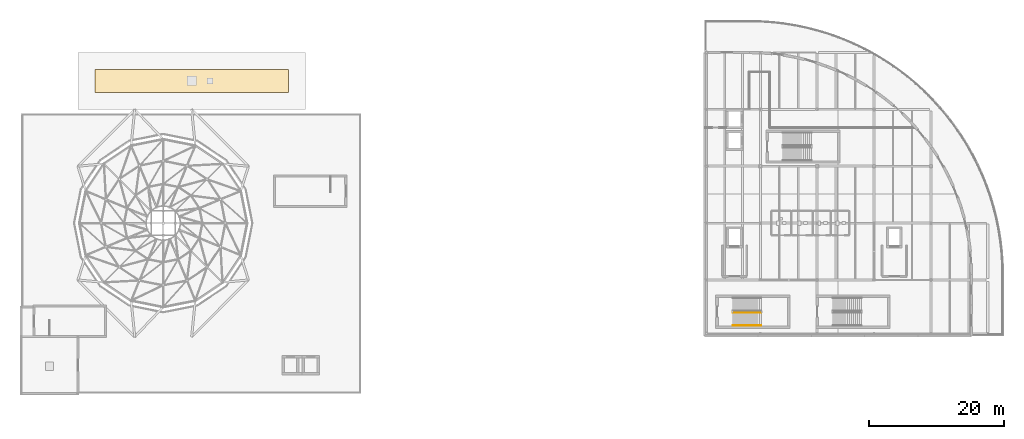
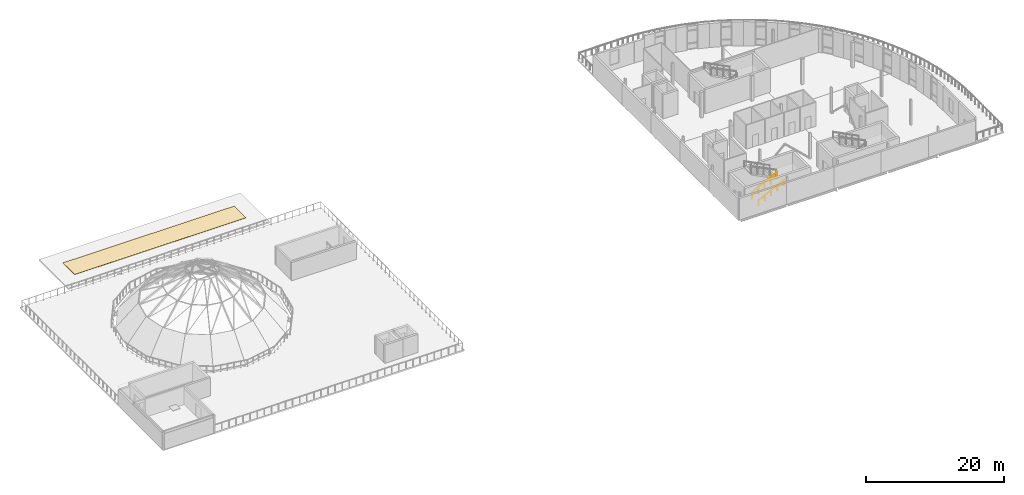
# One storey, part 36 of 40: 2 railings, 1 covering.
"""IFC4 building model written with IfcOpenShell, lengths in metres."""

from ifc_helpers import new_model, si_unit, direction, frame, origin, origin_2d, place, context, subcontext, project, spatial, polyline, circle, outline, extrude, material, layer, layer_set, type_object, element, save


model = new_model("IFC4")

# Units and contexts
model_context = context("Model", 3, precision=1e-05, world=origin(), true_north=direction((0.0, 1.0)))
body_context = subcontext(model_context, "Body", "Model", "MODEL_VIEW")
ifc_project = project(units=[si_unit("LENGTHUNIT", "METRE"), si_unit("AREAUNIT", "SQUARE_METRE"), si_unit("VOLUMEUNIT", "CUBIC_METRE"), si_unit("PLANEANGLEUNIT", "RADIAN"), si_unit("MASSUNIT", "GRAM", prefix="KILO"), si_unit("THERMODYNAMICTEMPERATUREUNIT", "KELVIN")], contexts=[model_context])

# Site, building, storey
site_placement = place(None, origin())
site = spatial("IfcSite", under=ifc_project, at=site_placement, CompositionType="ELEMENT")
building_placement = place(site_placement, origin())
building = spatial("IfcBuilding", under=site, at=building_placement, Name="Lustrewick Department Store", CompositionType="ELEMENT")
storey_placement = place(building_placement, frame((0.0, 0.0, 31.800048828125)))
storey = spatial("IfcBuildingStorey", under=building, at=storey_placement, Name="L07", CompositionType="ELEMENT", Elevation=31.800048828125)

# Covering
ifc_material_1 = material(Name="Single-ply TPO insulated roofing membrane", Category="plastic")
ifc_layer = layer(ifc_material_1, 0.034912109375, Name="Single-ply TPO insulated roofing membrane")
ifc_layer_set = layer_set([ifc_layer], Name="Single-ply TPO insulated roofing membrane")
covering_type = type_object("IfcCoveringType", Name="COV-ROOF", PredefinedType="ROOFING", material=ifc_layer_set)
covering_placement = place(storey_placement, origin())
element("IfcCovering", 1, at=covering_placement, inside=storey, type_object=covering_type, Name="L07 TPO Roof Membrane 08", PredefinedType="ROOFING", context=body_context, shape_type="SweptSolid", body=[
    extrude(outline(polyline([(47.89990234375, 89.89990234375), (19.300048828125, 89.89990234375), (19.300048828125, 86.5), (47.89990234375, 86.5), (47.89990234375, 89.89990234375)])), origin(), (0.0, 0.0, 1.0), 0.034912109375),
])

# Railings
ifc_material_2 = material(Name="Painted tubular steel stairwell guardrail", Category="steel")
railing_type_1 = type_object("IfcRailingType", Name="RL-STG", PredefinedType="GUARDRAIL", material=ifc_material_2)
railing_1_placement = place(storey_placement, frame((113.550048828125, 53.949951171875, 0.14990234375)))
element("IfcRailing", 2, at=railing_1_placement, inside=storey, type_object=railing_type_1, Name="L07 ST09 Stair Guard 1", PredefinedType="GUARDRAIL", context=body_context, shape_type="SweptSolid", body=[
    extrude(circle(Radius=0.02392578125, at=origin_2d()), frame((0.0, 0.0, 1.17578125), z_axis=(0.894416792377, 0.0, 0.447234392142), x_axis=(0.0, 1.0, 0.0)), (0.0, 0.0, 1.0), 4.69580078125),
    extrude(circle(Radius=0.02099609375, at=origin_2d()), origin(), (0.0, 0.0, 1.0), 1.15185546875),
    extrude(circle(Radius=0.02099609375, at=origin_2d()), frame((1.050048828125, 0.0, 0.52490234375)), (0.0, 0.0, 1.0), 1.15185546875),
    extrude(circle(Radius=0.02099609375, at=origin_2d()), frame((2.10009765625, 0.0, 1.050048828125)), (0.0, 0.0, 1.0), 1.15185546875),
    extrude(circle(Radius=0.02099609375, at=origin_2d()), frame((3.14990234375, 0.0, 1.5751953125)), (0.0, 0.0, 1.0), 1.15185546875),
    extrude(circle(Radius=0.02099609375, at=origin_2d()), frame((4.199951171875, 0.0, 2.10009765625)), (0.0, 0.0, 1.0), 1.15185546875),
])
ifc_material_3 = material(Name="Brushed stainless steel wall handrail", Category="steel")
railing_type_2 = type_object("IfcRailingType", Name="RL-STH", PredefinedType="HANDRAIL", material=ifc_material_3)
railing_2_placement = place(storey_placement, frame((113.550048828125, 52.050048828125, 0.14990234375)))
element("IfcRailing", 3, at=railing_2_placement, inside=storey, type_object=railing_type_2, Name="L07 ST09 Stair Handrail 1", PredefinedType="HANDRAIL", context=body_context, shape_type="SweptSolid", body=[
    extrude(circle(Radius=0.02392578125, at=origin_2d()), frame((0.0, 0.0, 0.8759765625), z_axis=(0.894416792377, 0.0, 0.447234392142), x_axis=(0.0, 1.0, 0.0)), (0.0, 0.0, 1.0), 4.69580078125),
    extrude(circle(Radius=0.02099609375, at=origin_2d()), origin(), (0.0, 0.0, 1.0), 0.851806640625),
    extrude(circle(Radius=0.02099609375, at=origin_2d()), frame((1.050048828125, 0.0, 0.52490234375)), (0.0, 0.0, 1.0), 0.851806640625),
    extrude(circle(Radius=0.02099609375, at=origin_2d()), frame((2.10009765625, 0.0, 1.050048828125)), (0.0, 0.0, 1.0), 0.851806640625),
    extrude(circle(Radius=0.02099609375, at=origin_2d()), frame((3.14990234375, 0.0, 1.5751953125)), (0.0, 0.0, 1.0), 0.851806640625),
    extrude(circle(Radius=0.02099609375, at=origin_2d()), frame((4.199951171875, 0.0, 2.10009765625)), (0.0, 0.0, 1.0), 0.851806640625),
])

save(model, "model.ifc")
